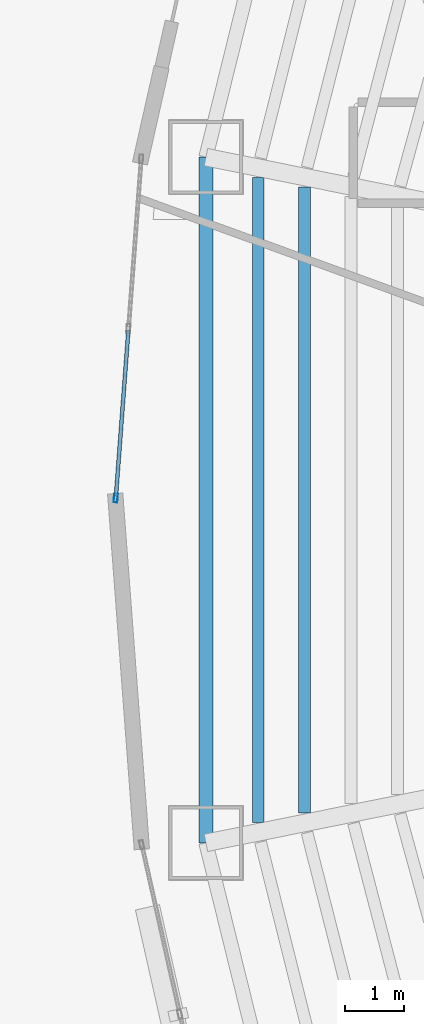
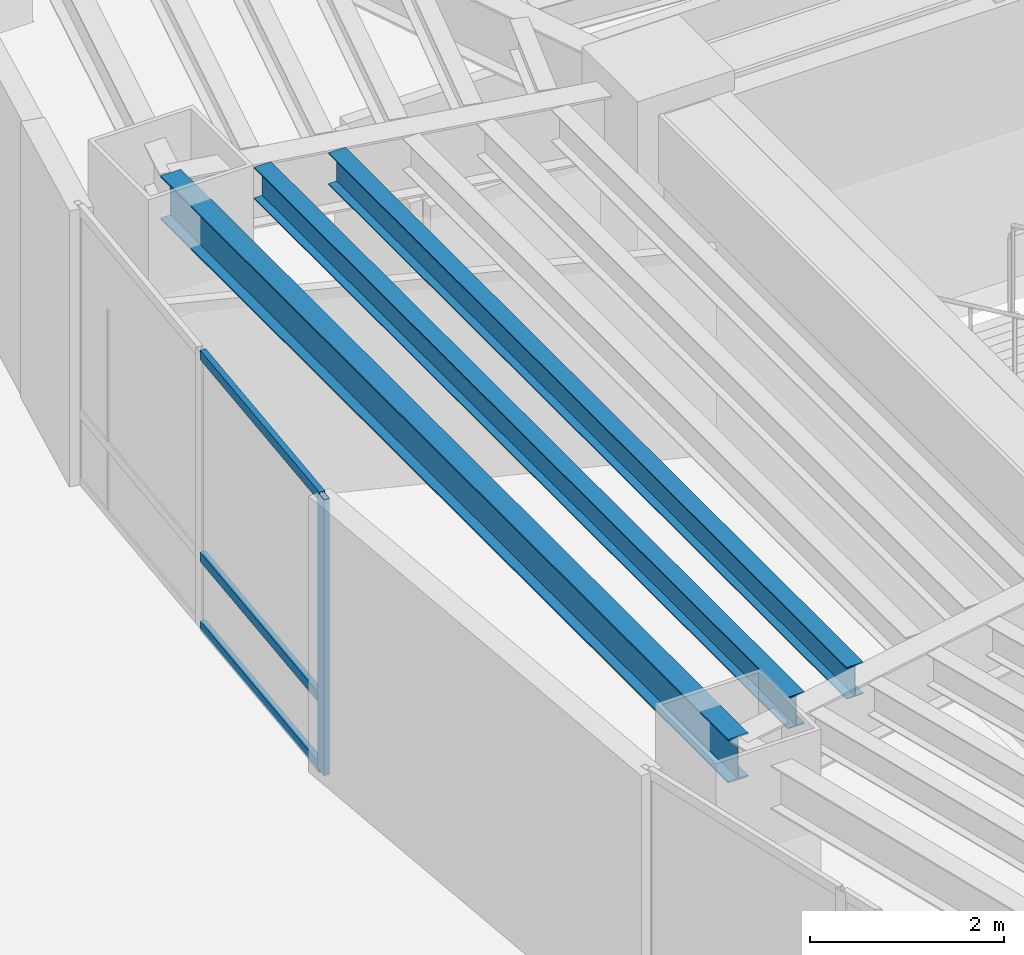
# One storey, part 3 of 19: 4 members, 3 beams, 1 element without a shape of its own.
"""IFC4 building model written with IfcOpenShell, lengths in metres."""

from ifc_helpers import new_model, si_unit, direction, frame, origin, origin_2d, place, context, subcontext, project, spatial, hollow_rectangle, i_section, extrude, material, layer, layer_set, material_profile, profile_set, type_object, element, aggregate, save


model = new_model("IFC4")

# Units and contexts
model_context = context("Model", 3, precision=1e-05, world=origin(), true_north=direction((0.0, 1.0)))
body_context = subcontext(model_context, "Body", "Model", "MODEL_VIEW")
ifc_project = project(units=[si_unit("LENGTHUNIT", "METRE"), si_unit("AREAUNIT", "SQUARE_METRE"), si_unit("VOLUMEUNIT", "CUBIC_METRE"), si_unit("PLANEANGLEUNIT", "RADIAN"), si_unit("MASSUNIT", "GRAM", prefix="KILO")], contexts=[model_context])

# Site, building, storey
site_placement = place(None, origin())
site = spatial("IfcSite", under=ifc_project, at=site_placement, CompositionType="ELEMENT")
building_placement = place(site_placement, origin())
building = spatial("IfcBuilding", under=site, at=building_placement, Name="Menara Vayukalpa", CompositionType="ELEMENT")
storey_placement = place(building_placement, frame((0.0, 0.0, 118.860107421875)))
storey = spatial("IfcBuildingStorey", under=building, at=storey_placement, Name="L29", CompositionType="ELEMENT", Elevation=118.860107421875)

# Beams
ifc_material_1 = material(Name="Steel S355", Category="steel")
ifc_material_profile_1 = material_profile(ifc_material_1, i_section(OverallWidth=0.199951171875, OverallDepth=0.39990234375, WebThickness=0.008056640625, FlangeThickness=0.012939453125, at=origin_2d()), Name="WF 400x200x8x13")
ifc_profile_set_1 = profile_set([ifc_material_profile_1], Name="Steel S355")
beam_type_1 = type_object("IfcBeamType", Name="BM-SJ2", PredefinedType="JOIST", material=ifc_profile_set_1)
beam_1_placement = place(storey_placement, frame((14.2890625, 27.3369140625, 3.269775390625), z_axis=(0.0, -1.0, 0.0), x_axis=(1.0, 0.0, 0.0)))
element("IfcBeam", 1, at=beam_1_placement, inside=storey, type_object=beam_type_1, Name="L29 Secondary Floor Joist SJ05-4", PredefinedType="JOIST", context=body_context, shape_type="SweptSolid", body=[
    extrude(i_section(OverallWidth=0.199951171875, OverallDepth=0.39990234375, WebThickness=0.008056640625, FlangeThickness=0.012939453125, at=origin_2d()), origin(), (0.0, 0.0, 1.0), 10.673828125),
])
beam_2_placement = place(storey_placement, frame((13.497314453125, 27.496337890625, 3.269775390625), z_axis=(0.0, -1.0, 0.0), x_axis=(1.0, 0.0, 0.0)))
element("IfcBeam", 2, at=beam_2_placement, inside=storey, type_object=beam_type_1, Name="L29 Secondary Floor Joist SJ05-5", PredefinedType="JOIST", context=body_context, shape_type="SweptSolid", body=[
    extrude(i_section(OverallWidth=0.199951171875, OverallDepth=0.39990234375, WebThickness=0.008056640625, FlangeThickness=0.012939453125, at=origin_2d()), origin(), (0.0, 0.0, 1.0), 10.99267578125),
])
ifc_material_2 = material(Name="Steel S355", Category="steel")
ifc_material_profile_2 = material_profile(ifc_material_2, i_section(OverallWidth=0.239990234375, OverallDepth=0.550048828125, WebThickness=0.010986328125, FlangeThickness=0.01904296875, at=origin_2d()), Name="WF 550x240x11x19")
ifc_profile_set_2 = profile_set([ifc_material_profile_2], Name="Steel S355")
beam_type_2 = type_object("IfcBeamType", Name="BM-SP2", PredefinedType="SPANDREL", material=ifc_profile_set_2)
beam_3_placement = place(storey_placement, frame((12.606689453125, 27.845703125, 3.19482421875), z_axis=(0.0, -1.0, 0.0), x_axis=(1.0, 0.0, 0.0)))
element("IfcBeam", 3, at=beam_3_placement, inside=storey, type_object=beam_type_2, Name="L29 Perimeter Spandrel Beam SP05", PredefinedType="SPANDREL", context=body_context, shape_type="SweptSolid", body=[
    extrude(i_section(OverallWidth=0.239990234375, OverallDepth=0.550048828125, WebThickness=0.010986328125, FlangeThickness=0.01904296875, at=origin_2d()), origin(), (0.0, 0.0, 1.0), 11.69140625),
])

# Curtain wall, members
ifc_material_3 = material(Name="Anodised Terracotta Aluminium Alloy 6063-T6", Category="masonry")
ifc_layer = layer(ifc_material_3, 0.14990234375)
ifc_layer_set = layer_set([ifc_layer], Name="Anodised Terracotta Aluminium Alloy 6063-T6")
curtain_wall_type = type_object("IfcCurtainWallType", Name="CW-CW3", PredefinedType="USERDEFINED", material=ifc_layer_set)
curtain_wall_placement = place(storey_placement, origin())
curtain_wall = element("IfcCurtainWall", 4, at=curtain_wall_placement, inside=storey, type_object=curtain_wall_type, Name="L29 Mid Rise Terracotta Ribbon Curtain Wall CW3 11", ObjectType="UNITISED", PredefinedType="USERDEFINED")
ifc_material_4 = material(Name="Anodised Terracotta Aluminium Alloy 6063-T6", Category="masonry")
ifc_material_profile_3 = material_profile(ifc_material_4, hollow_rectangle(XDim=0.06494140625, YDim=0.14990234375, WallThickness=0.00341796875, at=origin_2d()), Name="ALU 65x150x3.5")
ifc_profile_set_3 = profile_set([ifc_material_profile_3], Name="Anodised Terracotta Aluminium Alloy 6063-T6")
member_type_1 = type_object("IfcMemberType", Name="CWM-CW3", PredefinedType="MULLION", material=ifc_profile_set_3)
member_1_placement = place(storey_placement, frame((11.070556640625, 22.032470703125, 0.0), z_axis=(0.0, 0.0, 1.0), x_axis=(0.997199659745, -0.07478528334, 0.0)))
member_1 = element("IfcMember", 5, at=member_1_placement, type_object=member_type_1, Name="CW3 mullion 3", PredefinedType="MULLION", context=body_context, shape_type="SweptSolid", body=[
    extrude(hollow_rectangle(XDim=0.06494140625, YDim=0.14990234375, WallThickness=0.00341796875, at=origin_2d()), origin(), (0.0, 0.0, 1.0), 3.469970703125),
])
ifc_material_5 = material(Name="Anodised Terracotta Aluminium Alloy 6063-T6", Category="masonry")
ifc_material_profile_4 = material_profile(ifc_material_5, hollow_rectangle(XDim=0.06494140625, YDim=0.1201171875, WallThickness=0.00341796875, at=origin_2d()), Name="ALU 65x120x3.5")
ifc_profile_set_4 = profile_set([ifc_material_profile_4], Name="Anodised Terracotta Aluminium Alloy 6063-T6")
member_type_2 = type_object("IfcMemberType", Name="CWT-CW3", PredefinedType="USERDEFINED", material=ifc_profile_set_4)
member_2_placement = place(storey_placement, frame((11.284912109375, 24.890380859375, 0.032470703125), z_axis=(-0.074785664408, -0.997199631167, 0.0), x_axis=(0.997199631167, -0.074785664408, 0.0)))
member_2 = element("IfcMember", 6, at=member_2_placement, type_object=member_type_2, Name="CW3 transom 2.1", ObjectType="TRANSOM", PredefinedType="USERDEFINED", context=body_context, shape_type="SweptSolid", body=[
    extrude(hollow_rectangle(XDim=0.06494140625, YDim=0.1201171875, WallThickness=0.00341796875, at=origin_2d()), origin(), (0.0, 0.0, 1.0), 2.833740234375),
])
member_3_placement = place(storey_placement, frame((11.284912109375, 24.890380859375, 0.89990234375), z_axis=(-0.074785664408, -0.997199631167, 0.0), x_axis=(0.997199631167, -0.074785664408, 0.0)))
member_3 = element("IfcMember", 7, at=member_3_placement, type_object=member_type_2, Name="CW3 transom 2.2", ObjectType="TRANSOM", PredefinedType="USERDEFINED", context=body_context, shape_type="SweptSolid", body=[
    extrude(hollow_rectangle(XDim=0.06494140625, YDim=0.1201171875, WallThickness=0.00341796875, at=origin_2d()), origin(), (0.0, 0.0, 1.0), 2.833740234375),
])
member_4_placement = place(storey_placement, frame((11.284912109375, 24.890380859375, 3.4375), z_axis=(-0.074785664408, -0.997199631167, 0.0), x_axis=(0.997199631167, -0.074785664408, 0.0)))
member_4 = element("IfcMember", 8, at=member_4_placement, type_object=member_type_2, Name="CW3 transom 2.3", ObjectType="TRANSOM", PredefinedType="USERDEFINED", context=body_context, shape_type="SweptSolid", body=[
    extrude(hollow_rectangle(XDim=0.06494140625, YDim=0.1201171875, WallThickness=0.00341796875, at=origin_2d()), origin(), (0.0, 0.0, 1.0), 2.833740234375),
])
aggregate(curtain_wall, [member_1, member_2, member_3, member_4])

save(model, "model.ifc")
